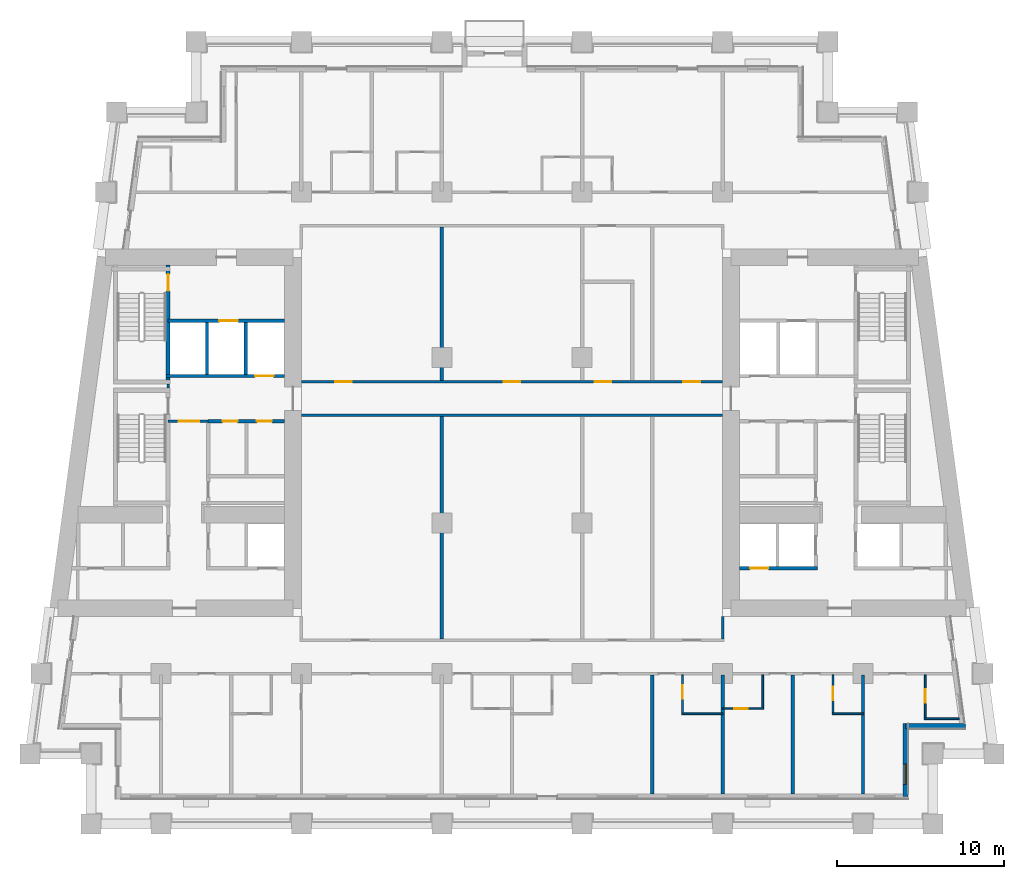
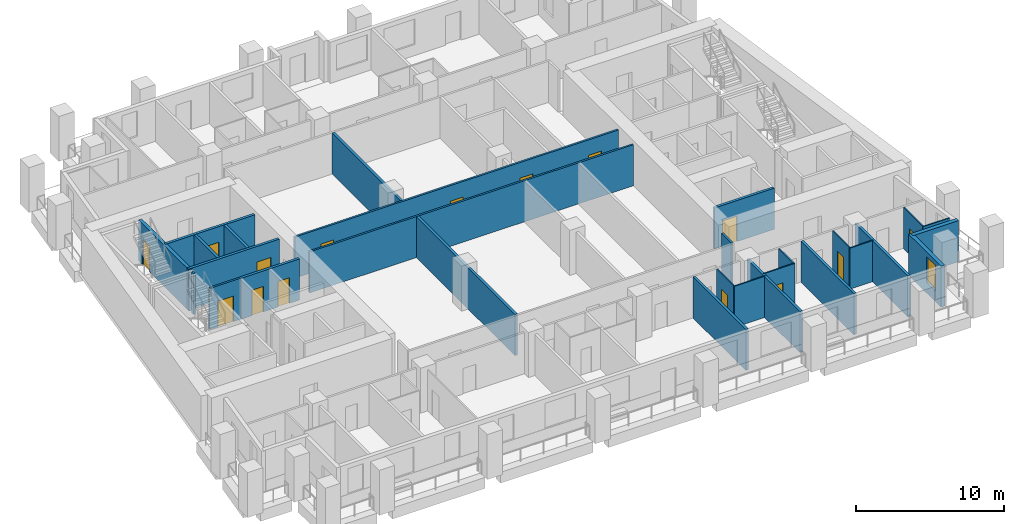
# One storey, part 4 of 13: 28 walls, 15 doors, 1 window, 16 openings.
"""IFC4 building model written with IfcOpenShell, lengths in metres."""

from ifc_helpers import new_model, si_unit, direction, frame, frame_2d, origin, place, context, subcontext, project, spatial, rectangle, extrude, material, layer, layer_set, type_object, element, fill, save


model = new_model("IFC4")

# Units and contexts
model_context = context("Model", 3, precision=1e-05, world=origin(), true_north=direction((0.0, 1.0)))
body_context = subcontext(model_context, "Body", "Model", "MODEL_VIEW")
ifc_project = project(units=[si_unit("LENGTHUNIT", "METRE"), si_unit("AREAUNIT", "SQUARE_METRE"), si_unit("VOLUMEUNIT", "CUBIC_METRE"), si_unit("PLANEANGLEUNIT", "RADIAN"), si_unit("MASSUNIT", "GRAM", prefix="KILO")], contexts=[model_context])

# Site, building, storey
site_placement = place(None, origin())
site = spatial("IfcSite", under=ifc_project, at=site_placement, CompositionType="ELEMENT")
building_placement = place(site_placement, origin())
building = spatial("IfcBuilding", under=site, at=building_placement, Name="Candeia Pilgrim Tower and Theatre", CompositionType="ELEMENT")
storey_placement = place(building_placement, frame((0.0, 0.0, 128.0)))
storey = spatial("IfcBuildingStorey", under=building, at=storey_placement, Name="L30", CompositionType="ELEMENT", Elevation=128.0)

# Wall, opening, window
ifc_material_1 = material(Name="Ceramic block masonry", Category="masonry")
ifc_layer_1 = layer(ifc_material_1, 0.300048828125)
ifc_layer_set_1 = layer_set([ifc_layer_1], Name="EW1 glazing-line wall 300")
wall_type_1 = type_object("IfcWallType", Name="EW1 glazing-line wall 300", PredefinedType="SOLIDWALL", material=ifc_layer_set_1)
wall_1_placement = place(storey_placement, frame((136.949951171875, 99.64990234375, 0.0), z_axis=(0.0, 0.0, 1.0), x_axis=(0.0, 1.0, 0.0)))
wall_1 = element("IfcWall", 1, at=wall_1_placement, inside=storey, type_object=wall_type_1, Name="External wall L30-1.0", PredefinedType="SOLIDWALL", context=body_context, shape_type="SweptSolid", body=[
    extrude(rectangle(XDim=4.35009765625, YDim=0.300048828125, at=frame_2d((2.175048828125, 0.0))), origin(), (0.0, 0.0, 1.0), 3.3798828125),
])
opening_1_placement = place(wall_1_placement, frame((0.72509765625, 0.0, 0.89990234375)))
opening_1 = element("IfcOpeningElement", 2, at=opening_1_placement, cuts=wall_1, Name="Opening W-B", PredefinedType="OPENING", context=body_context, shape_type="SweptSolid", body=[
    extrude(rectangle(XDim=1.199951171875, YDim=2.10009765625, at=frame_2d((0.60009765625, 1.050048828125))), frame((0.0, 0.16015625, 0.0), z_axis=(0.0, -1.0, 0.0), x_axis=(1.0, 0.0, 0.0)), (0.0, 0.0, 1.0), 0.320068359375),
])
ifc_material_2 = material(Name="Aluminium framed double glazing", Category="aluminium")
window_type = type_object("IfcWindowType", Name="W-B window 1200x2100", PartitioningType="SINGLE_PANEL", PredefinedType="WINDOW", material=ifc_material_2)
window_placement = place(opening_1_placement, origin())
window = element("IfcWindow", 3, at=window_placement, inside=storey, type_object=window_type, Name="Window W-B L30", OverallHeight=2.10009765625, OverallWidth=1.199951171875, PartitioningType="SINGLE_PANEL", PredefinedType="WINDOW", context=body_context, shape_type="SweptSolid", body=[
    extrude(rectangle(XDim=1.199951171875, YDim=2.10009765625, at=frame_2d((0.60009765625, 1.050048828125))), frame((0.0, 0.030029296875, 0.0), z_axis=(0.0, -1.0, 0.0), x_axis=(1.0, 0.0, 0.0)), (0.0, 0.0, 1.0), 0.06005859375),
])
fill(opening_1, window)

# Walls
wall_2_placement = place(storey_placement, frame((136.949951171875, 103.85009765625, 0.0), z_axis=(0.0, 0.0, 1.0), x_axis=(1.0, 0.0, 0.0)))
element("IfcWall", 4, at=wall_2_placement, inside=storey, type_object=wall_type_1, Name="External wall L30-2.0", PredefinedType="SOLIDWALL", context=body_context, shape_type="SweptSolid", body=[
    extrude(rectangle(XDim=3.569091796875, YDim=0.300048828125, at=frame_2d((1.78466796875, 0.0))), origin(), (0.0, 0.0, 1.0), 3.3798828125),
])
ifc_material_3 = material(Name="Gypsum board partition on steel studs", Category="steel")
ifc_layer_2 = layer(ifc_material_3, 0.10009765625)
ifc_layer_set_2 = layer_set([ifc_layer_2], Name="PW-100 room partition")
wall_type_2 = type_object("IfcWallType", Name="PW-100 room partition", PredefinedType="PARTITIONING", material=ifc_layer_set_2)
wall_3_placement = place(storey_placement, frame((138.070068359375, 104.300048828125, 0.0), z_axis=(0.0, 0.0, 1.0), x_axis=(1.0, 0.0, 0.0)))
element("IfcWall", 5, at=wall_3_placement, inside=storey, type_object=wall_type_2, Name="Room partition L30-002", PredefinedType="PARTITIONING", context=body_context, shape_type="SweptSolid", body=[
    extrude(rectangle(XDim=2.07568359375, YDim=0.10009765625, at=frame_2d((1.037841796875, 0.0))), origin(), (0.0, 0.0, 1.0), 3.3798828125),
])
wall_4_placement = place(storey_placement, frame((123.550048828125, 104.60009765625, 0.0), z_axis=(0.0, 0.0, 1.0), x_axis=(1.0, 0.0, 0.0)))
element("IfcWall", 6, at=wall_4_placement, inside=storey, type_object=wall_type_2, Name="Room partition L30-005", PredefinedType="PARTITIONING", context=body_context, shape_type="SweptSolid", body=[
    extrude(rectangle(XDim=2.449951171875, YDim=0.10009765625, at=frame_2d((1.22509765625, 0.0))), origin(), (0.0, 0.0, 1.0), 3.3798828125),
])
wall_5_placement = place(storey_placement, frame((132.550048828125, 104.60009765625, 0.0), z_axis=(0.0, 0.0, 1.0), x_axis=(1.0, 0.0, 0.0)))
element("IfcWall", 7, at=wall_5_placement, inside=storey, type_object=wall_type_2, Name="Room partition L30-006", PredefinedType="PARTITIONING", context=body_context, shape_type="SweptSolid", body=[
    extrude(rectangle(XDim=1.849853515625, YDim=0.10009765625, at=frame_2d((0.9248046875, 0.0))), origin(), (0.0, 0.0, 1.0), 3.3798828125),
])

# Wall, opening, door
wall_6_placement = place(storey_placement, frame((126.0, 104.89990234375, 0.0), z_axis=(0.0, 0.0, 1.0), x_axis=(1.0, 0.0, 0.0)))
wall_6 = element("IfcWall", 8, at=wall_6_placement, inside=storey, type_object=wall_type_2, Name="Room partition L30-008", PredefinedType="PARTITIONING", context=body_context, shape_type="SweptSolid", body=[
    extrude(rectangle(XDim=2.449951171875, YDim=0.10009765625, at=frame_2d((1.22509765625, 0.0))), origin(), (0.0, 0.0, 1.0), 3.3798828125),
])
opening_2_placement = place(wall_6_placement, frame((0.7099609375, 0.0, 0.0)))
opening_2 = element("IfcOpeningElement", 9, at=opening_2_placement, cuts=wall_6, Name="Opening L30-D030", PredefinedType="OPENING", context=body_context, shape_type="SweptSolid", body=[
    extrude(rectangle(XDim=0.800048828125, YDim=2.10009765625, at=frame_2d((0.39990234375, 1.050048828125))), frame((0.0, 0.06005859375, 0.0), z_axis=(0.0, -1.0, 0.0), x_axis=(1.0, 0.0, 0.0)), (0.0, 0.0, 1.0), 0.1201171875),
])
ifc_material_4 = material(Name="Timber door leaf", Category="wood")
door_type_1 = type_object("IfcDoorType", Name="D-800", OperationType="NOTDEFINED", PredefinedType="DOOR", material=ifc_material_4)
door_1_placement = place(opening_2_placement, origin())
door_1 = element("IfcDoor", 10, at=door_1_placement, inside=storey, type_object=door_type_1, Name="Door L30-D030", OperationType="SINGLE_SWING_RIGHT", OverallHeight=2.10009765625, OverallWidth=0.800048828125, PredefinedType="DOOR", context=body_context, shape_type="SweptSolid", body=[
    extrude(rectangle(XDim=0.800048828125, YDim=2.10009765625, at=frame_2d((0.39990234375, 1.050048828125))), frame((0.0, 0.02490234375, 0.0), z_axis=(0.0, -1.0, 0.0), x_axis=(1.0, 0.0, 0.0)), (0.0, 0.0, 1.0), 0.050048828125),
])
fill(opening_2, door_1)

wall_7_placement = place(storey_placement, frame((123.60009765625, 104.64990234375, 0.0), z_axis=(0.0, 0.0, 1.0), x_axis=(0.0, 1.0, 0.0)))
wall_7 = element("IfcWall", 11, at=wall_7_placement, inside=storey, type_object=wall_type_2, Name="Room partition L30-094", PredefinedType="PARTITIONING", context=body_context, shape_type="SweptSolid", body=[
    extrude(rectangle(XDim=2.275146484375, YDim=0.10009765625, at=frame_2d((1.1376953125, 0.0))), origin(), (0.0, 0.0, 1.0), 3.3798828125),
])
opening_3_placement = place(wall_7_placement, frame((0.840087890625, 0.0, 0.0)))
opening_3 = element("IfcOpeningElement", 12, at=opening_3_placement, cuts=wall_7, Name="Opening L30-D028", PredefinedType="OPENING", context=body_context, shape_type="SweptSolid", body=[
    extrude(rectangle(XDim=0.800048828125, YDim=2.10009765625, at=frame_2d((0.39990234375, 1.050048828125))), frame((0.0, 0.06005859375, 0.0), z_axis=(0.0, -1.0, 0.0), x_axis=(1.0, 0.0, 0.0)), (0.0, 0.0, 1.0), 0.1201171875),
])
door_2_placement = place(opening_3_placement, origin())
door_2 = element("IfcDoor", 13, at=door_2_placement, inside=storey, type_object=door_type_1, Name="Door L30-D028", OperationType="SINGLE_SWING_RIGHT", OverallHeight=2.10009765625, OverallWidth=0.800048828125, PredefinedType="DOOR", context=body_context, shape_type="SweptSolid", body=[
    extrude(rectangle(XDim=0.800048828125, YDim=2.10009765625, at=frame_2d((0.39990234375, 1.050048828125))), frame((0.0, 0.02490234375, 0.0), z_axis=(0.0, -1.0, 0.0), x_axis=(1.0, 0.0, 0.0)), (0.0, 0.0, 1.0), 0.050048828125),
])
fill(opening_3, door_2)

# Wall
wall_8_placement = place(storey_placement, frame((128.39990234375, 104.949951171875, 0.0), z_axis=(0.0, 0.0, 1.0), x_axis=(0.0, 1.0, 0.0)))
element("IfcWall", 14, at=wall_8_placement, inside=storey, type_object=wall_type_2, Name="Room partition L30-099", PredefinedType="PARTITIONING", context=body_context, shape_type="SweptSolid", body=[
    extrude(rectangle(XDim=1.97509765625, YDim=0.10009765625, at=frame_2d((0.987548828125, 0.0))), origin(), (0.0, 0.0, 1.0), 3.3798828125),
])

# Wall, opening, door
wall_9_placement = place(storey_placement, frame((132.60009765625, 104.64990234375, 0.0), z_axis=(0.0, 0.0, 1.0), x_axis=(0.0, 1.0, 0.0)))
wall_9 = element("IfcWall", 15, at=wall_9_placement, inside=storey, type_object=wall_type_2, Name="Room partition L30-108", PredefinedType="PARTITIONING", context=body_context, shape_type="SweptSolid", body=[
    extrude(rectangle(XDim=2.275146484375, YDim=0.10009765625, at=frame_2d((1.1376953125, 0.0))), origin(), (0.0, 0.0, 1.0), 3.3798828125),
])
opening_4_placement = place(wall_9_placement, frame((0.75, 0.0, 0.0)))
opening_4 = element("IfcOpeningElement", 16, at=opening_4_placement, cuts=wall_9, Name="Opening L30-D032", PredefinedType="OPENING", context=body_context, shape_type="SweptSolid", body=[
    extrude(rectangle(XDim=0.800048828125, YDim=2.10009765625, at=frame_2d((0.39990234375, 1.050048828125))), frame((0.0, 0.06005859375, 0.0), z_axis=(0.0, -1.0, 0.0), x_axis=(1.0, 0.0, 0.0)), (0.0, 0.0, 1.0), 0.1201171875),
])
door_3_placement = place(opening_4_placement, origin())
door_3 = element("IfcDoor", 17, at=door_3_placement, inside=storey, type_object=door_type_1, Name="Door L30-D032", OperationType="SINGLE_SWING_RIGHT", OverallHeight=2.10009765625, OverallWidth=0.800048828125, PredefinedType="DOOR", context=body_context, shape_type="SweptSolid", body=[
    extrude(rectangle(XDim=0.800048828125, YDim=2.10009765625, at=frame_2d((0.39990234375, 1.050048828125))), frame((0.0, 0.02490234375, 0.0), z_axis=(0.0, -1.0, 0.0), x_axis=(1.0, 0.0, 0.0)), (0.0, 0.0, 1.0), 0.050048828125),
])
fill(opening_4, door_3)

wall_10_placement = place(storey_placement, frame((138.1201171875, 104.35009765625, 0.0), z_axis=(0.0, 0.0, 1.0), x_axis=(0.0, 1.0, 0.0)))
wall_10 = element("IfcWall", 18, at=wall_10_placement, inside=storey, type_object=wall_type_2, Name="Room partition L30-118", PredefinedType="PARTITIONING", context=body_context, shape_type="SweptSolid", body=[
    extrude(rectangle(XDim=2.574951171875, YDim=0.10009765625, at=frame_2d((1.28759765625, 0.0))), origin(), (0.0, 0.0, 1.0), 3.3798828125),
])
opening_5_placement = place(wall_10_placement, frame((0.89990234375, 0.0, 0.0)))
opening_5 = element("IfcOpeningElement", 19, at=opening_5_placement, cuts=wall_10, Name="Opening L30-D034", PredefinedType="OPENING", context=body_context, shape_type="SweptSolid", body=[
    extrude(rectangle(XDim=0.800048828125, YDim=2.10009765625, at=frame_2d((0.39990234375, 1.050048828125))), frame((0.0, 0.06005859375, 0.0), z_axis=(0.0, -1.0, 0.0), x_axis=(1.0, 0.0, 0.0)), (0.0, 0.0, 1.0), 0.1201171875),
])
door_4_placement = place(opening_5_placement, origin())
door_4 = element("IfcDoor", 20, at=door_4_placement, inside=storey, type_object=door_type_1, Name="Door L30-D034", OperationType="SINGLE_SWING_RIGHT", OverallHeight=2.10009765625, OverallWidth=0.800048828125, PredefinedType="DOOR", context=body_context, shape_type="SweptSolid", body=[
    extrude(rectangle(XDim=0.800048828125, YDim=2.10009765625, at=frame_2d((0.39990234375, 1.050048828125))), frame((0.0, 0.02490234375, 0.0), z_axis=(0.0, -1.0, 0.0), x_axis=(1.0, 0.0, 0.0)), (0.0, 0.0, 1.0), 0.050048828125),
])
fill(opening_5, door_4)

ifc_layer_3 = layer(ifc_material_3, 0.14990234375)
ifc_layer_set_3 = layer_set([ifc_layer_3], Name="PW-150 lobby wall")
wall_type_3 = type_object("IfcWallType", Name="PW-150 lobby wall", PredefinedType="PARTITIONING", material=ifc_layer_set_3)
wall_11_placement = place(storey_placement, frame((92.826904296875, 122.10009765625, 0.0), z_axis=(0.0, 0.0, 1.0), x_axis=(1.0, 0.0, 0.0)))
wall_11 = element("IfcWall", 21, at=wall_11_placement, inside=storey, type_object=wall_type_3, Name="Lobby wall L30-025", PredefinedType="PARTITIONING", context=body_context, shape_type="SweptSolid", body=[
    extrude(rectangle(XDim=2.400146484375, YDim=0.14990234375, at=frame_2d((1.2001953125, 0.0))), origin(), (0.0, 0.0, 1.0), 3.3798828125),
])
opening_6_placement = place(wall_11_placement, frame((0.64990234375, 0.0, 0.0)))
opening_6 = element("IfcOpeningElement", 22, at=opening_6_placement, cuts=wall_11, Name="Opening L30-D001", PredefinedType="OPENING", context=body_context, shape_type="SweptSolid", body=[
    extrude(rectangle(XDim=1.199951171875, YDim=2.10009765625, at=frame_2d((0.60009765625, 1.050048828125))), frame((0.0, 0.0849609375, 0.0), z_axis=(0.0, -1.0, 0.0), x_axis=(1.0, 0.0, 0.0)), (0.0, 0.0, 1.0), 0.169921875),
])
ifc_material_5 = material(Name="Steel fire door set", Category="steel")
door_type_2 = type_object("IfcDoorType", Name="D-1200-FD60", OperationType="NOTDEFINED", PredefinedType="DOOR", material=ifc_material_5)
door_5_placement = place(opening_6_placement, origin())
door_5 = element("IfcDoor", 23, at=door_5_placement, inside=storey, type_object=door_type_2, Name="Door L30-D001", OperationType="SINGLE_SWING_LEFT", OverallHeight=2.10009765625, OverallWidth=1.199951171875, PredefinedType="DOOR", context=body_context, shape_type="SweptSolid", body=[
    extrude(rectangle(XDim=1.199951171875, YDim=2.10009765625, at=frame_2d((0.60009765625, 1.050048828125))), frame((0.0, 0.02490234375, 0.0), z_axis=(0.0, -1.0, 0.0), x_axis=(1.0, 0.0, 0.0)), (0.0, 0.0, 1.0), 0.050048828125),
])
fill(opening_6, door_5)

# Walls
wall_12_placement = place(storey_placement, frame((92.826904296875, 124.074951171875, 0.0), z_axis=(0.0, 0.0, 1.0), x_axis=(0.0, 1.0, 0.0)))
element("IfcWall", 24, at=wall_12_placement, inside=storey, type_object=wall_type_3, Name="Lobby wall L30-057", PredefinedType="PARTITIONING", context=body_context, shape_type="SweptSolid", body=[
    extrude(rectangle(XDim=0.25, YDim=0.14990234375, at=frame_2d((0.125, 0.0))), origin(), (0.0, 0.0, 1.0), 3.3798828125),
])
ifc_layer_4 = layer(ifc_material_3, 0.14990234375)
ifc_layer_set_4 = layer_set([ifc_layer_4], Name="PW-150 unit wall")
wall_type_4 = type_object("IfcWallType", Name="PW-150 unit wall", PredefinedType="PARTITIONING", material=ifc_layer_set_4)
wall_13_placement = place(storey_placement, frame((100.800048828125, 122.449951171875, 0.0), z_axis=(0.0, 0.0, 1.0), x_axis=(1.0, 0.0, 0.0)))
element("IfcWall", 25, at=wall_13_placement, inside=storey, type_object=wall_type_4, Name="Unit wall L30-027", PredefinedType="PARTITIONING", context=body_context, shape_type="SweptSolid", body=[
    extrude(rectangle(XDim=25.199951171875, YDim=0.14990234375, at=frame_2d((12.60009765625, 0.0))), origin(), (0.0, 0.0, 1.0), 3.3798828125),
])

# Wall, openings, doors
wall_14_placement = place(storey_placement, frame((100.800048828125, 124.449951171875, 0.0), z_axis=(0.0, 0.0, 1.0), x_axis=(1.0, 0.0, 0.0)))
wall_14 = element("IfcWall", 26, at=wall_14_placement, inside=storey, type_object=wall_type_4, Name="Unit wall L30-032", PredefinedType="PARTITIONING", context=body_context, shape_type="SweptSolid", body=[
    extrude(rectangle(XDim=25.199951171875, YDim=0.14990234375, at=frame_2d((12.60009765625, 0.0))), origin(), (0.0, 0.0, 1.0), 3.3798828125),
])
opening_7_placement = place(wall_14_placement, frame((2.02490234375, 0.0, 0.0)))
opening_7 = element("IfcOpeningElement", 27, at=opening_7_placement, cuts=wall_14, Name="Opening L30-D052", PredefinedType="OPENING", context=body_context, shape_type="SweptSolid", body=[
    extrude(rectangle(XDim=1.0, YDim=2.10009765625, at=frame_2d((0.5, 1.050048828125))), frame((0.0, 0.0849609375, 0.0), z_axis=(0.0, -1.0, 0.0), x_axis=(1.0, 0.0, 0.0)), (0.0, 0.0, 1.0), 0.169921875),
])
opening_8_placement = place(wall_14_placement, frame((12.10009765625, 0.0, 0.0)))
opening_8 = element("IfcOpeningElement", 28, at=opening_8_placement, cuts=wall_14, Name="Opening L30-D053", PredefinedType="OPENING", context=body_context, shape_type="SweptSolid", body=[
    extrude(rectangle(XDim=1.0, YDim=2.10009765625, at=frame_2d((0.5, 1.050048828125))), frame((0.0, 0.0849609375, 0.0), z_axis=(0.0, -1.0, 0.0), x_axis=(1.0, 0.0, 0.0)), (0.0, 0.0, 1.0), 0.169921875),
])
opening_9_placement = place(wall_14_placement, frame((17.5400390625, 0.0, 0.0)))
opening_9 = element("IfcOpeningElement", 29, at=opening_9_placement, cuts=wall_14, Name="Opening L30-D054", PredefinedType="OPENING", context=body_context, shape_type="SweptSolid", body=[
    extrude(rectangle(XDim=1.0, YDim=2.10009765625, at=frame_2d((0.5, 1.050048828125))), frame((0.0, 0.0849609375, 0.0), z_axis=(0.0, -1.0, 0.0), x_axis=(1.0, 0.0, 0.0)), (0.0, 0.0, 1.0), 0.169921875),
])
opening_10_placement = place(wall_14_placement, frame((22.85009765625, 0.0, 0.0)))
opening_10 = element("IfcOpeningElement", 30, at=opening_10_placement, cuts=wall_14, Name="Opening L30-D055", PredefinedType="OPENING", context=body_context, shape_type="SweptSolid", body=[
    extrude(rectangle(XDim=1.0, YDim=2.10009765625, at=frame_2d((0.5, 1.050048828125))), frame((0.0, 0.0849609375, 0.0), z_axis=(0.0, -1.0, 0.0), x_axis=(1.0, 0.0, 0.0)), (0.0, 0.0, 1.0), 0.169921875),
])
door_type_3 = type_object("IfcDoorType", Name="D-1000-FD30S", OperationType="NOTDEFINED", PredefinedType="DOOR", material=ifc_material_5)
door_6_placement = place(opening_7_placement, origin())
door_6 = element("IfcDoor", 31, at=door_6_placement, inside=storey, type_object=door_type_3, Name="Door L30-D052", OperationType="SINGLE_SWING_RIGHT", OverallHeight=2.10009765625, OverallWidth=1.0, PredefinedType="DOOR", context=body_context, shape_type="SweptSolid", body=[
    extrude(rectangle(XDim=1.0, YDim=2.10009765625, at=frame_2d((0.5, 1.050048828125))), frame((0.0, 0.02490234375, 0.0), z_axis=(0.0, -1.0, 0.0), x_axis=(1.0, 0.0, 0.0)), (0.0, 0.0, 1.0), 0.050048828125),
])
fill(opening_7, door_6)
door_7_placement = place(opening_8_placement, origin())
door_7 = element("IfcDoor", 32, at=door_7_placement, inside=storey, type_object=door_type_3, Name="Door L30-D053", OperationType="SINGLE_SWING_LEFT", OverallHeight=2.10009765625, OverallWidth=1.0, PredefinedType="DOOR", context=body_context, shape_type="SweptSolid", body=[
    extrude(rectangle(XDim=1.0, YDim=2.10009765625, at=frame_2d((0.5, 1.050048828125))), frame((0.0, 0.02490234375, 0.0), z_axis=(0.0, -1.0, 0.0), x_axis=(1.0, 0.0, 0.0)), (0.0, 0.0, 1.0), 0.050048828125),
])
fill(opening_8, door_7)
door_8_placement = place(opening_9_placement, origin())
door_8 = element("IfcDoor", 33, at=door_8_placement, inside=storey, type_object=door_type_3, Name="Door L30-D054", OperationType="SINGLE_SWING_RIGHT", OverallHeight=2.10009765625, OverallWidth=1.0, PredefinedType="DOOR", context=body_context, shape_type="SweptSolid", body=[
    extrude(rectangle(XDim=1.0, YDim=2.10009765625, at=frame_2d((0.5, 1.050048828125))), frame((0.0, 0.02490234375, 0.0), z_axis=(0.0, -1.0, 0.0), x_axis=(1.0, 0.0, 0.0)), (0.0, 0.0, 1.0), 0.050048828125),
])
fill(opening_9, door_8)
door_9_placement = place(opening_10_placement, origin())
door_9 = element("IfcDoor", 34, at=door_9_placement, inside=storey, type_object=door_type_3, Name="Door L30-D055", OperationType="SINGLE_SWING_LEFT", OverallHeight=2.10009765625, OverallWidth=1.0, PredefinedType="DOOR", context=body_context, shape_type="SweptSolid", body=[
    extrude(rectangle(XDim=1.0, YDim=2.10009765625, at=frame_2d((0.5, 1.050048828125))), frame((0.0, 0.02490234375, 0.0), z_axis=(0.0, -1.0, 0.0), x_axis=(1.0, 0.0, 0.0)), (0.0, 0.0, 1.0), 0.050048828125),
])
fill(opening_10, door_9)

# Walls
wall_15_placement = place(storey_placement, frame((126.0, 109.074951171875, 0.0), z_axis=(0.0, 0.0, 1.0), x_axis=(0.0, 1.0, 0.0)))
element("IfcWall", 35, at=wall_15_placement, inside=storey, type_object=wall_type_4, Name="Unit wall L30-097", PredefinedType="PARTITIONING", context=body_context, shape_type="SweptSolid", body=[
    extrude(rectangle(XDim=1.324951171875, YDim=0.14990234375, at=frame_2d((0.66259765625, 0.0))), origin(), (0.0, 0.0, 1.0), 3.3798828125),
])
ifc_layer_5 = layer(ifc_material_3, 0.199951171875)
ifc_layer_set_5 = layer_set([ifc_layer_5], Name="PW-200 party wall")
wall_type_5 = type_object("IfcWallType", Name="PW-200 party wall", PredefinedType="PARTITIONING", material=ifc_layer_set_5)
wall_16_placement = place(storey_placement, frame((109.199951171875, 109.074951171875, 0.0), z_axis=(0.0, 0.0, 1.0), x_axis=(0.0, 1.0, 0.0)))
element("IfcWall", 36, at=wall_16_placement, inside=storey, type_object=wall_type_5, Name="Party wall L30-079", PredefinedType="PARTITIONING", context=body_context, shape_type="SweptSolid", body=[
    extrude(rectangle(XDim=13.300048828125, YDim=0.199951171875, at=frame_2d((6.64990234375, 0.0))), origin(), (0.0, 0.0, 1.0), 3.3798828125),
])
wall_17_placement = place(storey_placement, frame((109.199951171875, 124.52490234375, 0.0), z_axis=(0.0, 0.0, 1.0), x_axis=(0.0, 1.0, 0.0)))
element("IfcWall", 37, at=wall_17_placement, inside=storey, type_object=wall_type_5, Name="Party wall L30-080", PredefinedType="PARTITIONING", context=body_context, shape_type="SweptSolid", body=[
    extrude(rectangle(XDim=9.2001953125, YDim=0.199951171875, at=frame_2d((4.60009765625, 0.0))), origin(), (0.0, 0.0, 1.0), 3.3798828125),
])
for number, where, z_axis, x_axis, name in (
    (38, (121.800048828125, 99.7900390625, 0.0), (0.0, 0.0, 1.0), (0.0, 1.0, 0.0), "Party wall L30-091"),
    (39, (126.0, 99.7900390625, 0.0), (0.0, 0.0, 1.0), (0.0, 1.0, 0.0), "Party wall L30-095"),
    (40, (130.199951171875, 99.7900390625, 0.0), (0.0, 0.0, 1.0), (0.0, 1.0, 0.0), "Party wall L30-103"),
    (41, (134.39990234375, 99.7900390625, 0.0), (0.0, 0.0, 1.0), (0.0, 1.0, 0.0), "Party wall L30-114"),
):
    element("IfcWall", number, at=place(storey_placement, frame(where, z_axis=z_axis, x_axis=x_axis)), inside=storey, type_object=wall_type_5, Name=name, PredefinedType="PARTITIONING", context=body_context, shape_type="SweptSolid", body=[
        extrude(rectangle(XDim=7.135009765625, YDim=0.199951171875, at=frame_2d((3.5673828125, 0.0))), origin(), (0.0, 0.0, 1.0), 3.3798828125),
    ])

# Wall, opening, door
ifc_material_6 = material(Name="Concrete C40/50", Category="concrete")
ifc_layer_6 = layer(ifc_material_6, 0.199951171875)
ifc_layer_set_6 = layer_set([ifc_layer_6], Name="SW-200 shaft wall")
wall_type_6 = type_object("IfcWallType", Name="SW-200 shaft wall", PredefinedType="PARTITIONING", material=ifc_layer_set_6)
wall_18_placement = place(storey_placement, frame((127.0, 113.300048828125, 0.0), z_axis=(0.0, 0.0, 1.0), x_axis=(1.0, 0.0, 0.0)))
wall_18 = element("IfcWall", 42, at=wall_18_placement, inside=storey, type_object=wall_type_6, Name="Shaft wall L30-013", PredefinedType="PARTITIONING", context=body_context, shape_type="SweptSolid", body=[
    extrude(rectangle(XDim=4.673095703125, YDim=0.199951171875, at=frame_2d((2.33642578125, 0.0))), origin(), (0.0, 0.0, 1.0), 3.3798828125),
])
opening_11_placement = place(wall_18_placement, frame((0.64208984375, 0.0, 0.0)))
opening_11 = element("IfcOpeningElement", 43, at=opening_11_placement, cuts=wall_18, Name="Opening L30-LD08", PredefinedType="OPENING", context=body_context, shape_type="SweptSolid", body=[
    extrude(rectangle(XDim=1.10009765625, YDim=2.10009765625, at=frame_2d((0.550048828125, 1.050048828125))), frame((0.0, 0.10986328125, 0.0), z_axis=(0.0, -1.0, 0.0), x_axis=(1.0, 0.0, 0.0)), (0.0, 0.0, 1.0), 0.219970703125),
])
ifc_material_7 = material(Name="Glazed aluminium landing door", Category="aluminium")
door_type_4 = type_object("IfcDoorType", Name="LD-1100-EI120", OperationType="SLIDING_TO_LEFT", PredefinedType="DOOR", material=ifc_material_7)
door_10_placement = place(opening_11_placement, origin())
door_10 = element("IfcDoor", 44, at=door_10_placement, inside=storey, type_object=door_type_4, Name="Landing door 08 L30", OperationType="SLIDING_TO_LEFT", OverallHeight=2.10009765625, OverallWidth=1.10009765625, PredefinedType="DOOR", context=body_context, shape_type="SweptSolid", body=[
    extrude(rectangle(XDim=1.10009765625, YDim=2.10009765625, at=frame_2d((0.550048828125, 1.050048828125))), frame((0.0, 0.02490234375, 0.0), z_axis=(0.0, -1.0, 0.0), x_axis=(1.0, 0.0, 0.0)), (0.0, 0.0, 1.0), 0.050048828125),
])
fill(opening_11, door_10)

# Wall, openings, doors
wall_19_placement = place(storey_placement, frame((95.22705078125, 122.10009765625, 0.0), z_axis=(0.0, 0.0, 1.0), x_axis=(1.0, 0.0, 0.0)))
wall_19 = element("IfcWall", 45, at=wall_19_placement, inside=storey, type_object=wall_type_6, Name="Shaft wall L30-023", PredefinedType="PARTITIONING", context=body_context, shape_type="SweptSolid", body=[
    extrude(rectangle(XDim=4.572998046875, YDim=0.199951171875, at=frame_2d((2.28662109375, 0.0))), origin(), (0.0, 0.0, 1.0), 3.3798828125),
])
opening_12_placement = place(wall_19_placement, frame((0.864990234375, 0.0, 0.0)))
opening_12 = element("IfcOpeningElement", 46, at=opening_12_placement, cuts=wall_19, Name="Opening L30-D002", PredefinedType="OPENING", context=body_context, shape_type="SweptSolid", body=[
    extrude(rectangle(XDim=0.89990234375, YDim=2.10009765625, at=frame_2d((0.449951171875, 1.050048828125))), frame((0.0, 0.10986328125, 0.0), z_axis=(0.0, -1.0, 0.0), x_axis=(1.0, 0.0, 0.0)), (0.0, 0.0, 1.0), 0.219970703125),
])
opening_13_placement = place(wall_19_placement, frame((2.910888671875, 0.0, 0.0)))
opening_13 = element("IfcOpeningElement", 47, at=opening_13_placement, cuts=wall_19, Name="Opening L30-D003", PredefinedType="OPENING", context=body_context, shape_type="SweptSolid", body=[
    extrude(rectangle(XDim=0.89990234375, YDim=2.10009765625, at=frame_2d((0.449951171875, 1.050048828125))), frame((0.0, 0.10986328125, 0.0), z_axis=(0.0, -1.0, 0.0), x_axis=(1.0, 0.0, 0.0)), (0.0, 0.0, 1.0), 0.219970703125),
])
door_type_5 = type_object("IfcDoorType", Name="D-900-FD60", OperationType="NOTDEFINED", PredefinedType="DOOR", material=ifc_material_5)
door_11_placement = place(opening_12_placement, origin())
door_11 = element("IfcDoor", 48, at=door_11_placement, inside=storey, type_object=door_type_5, Name="Door L30-D002", OperationType="SINGLE_SWING_RIGHT", OverallHeight=2.10009765625, OverallWidth=0.89990234375, PredefinedType="DOOR", context=body_context, shape_type="SweptSolid", body=[
    extrude(rectangle(XDim=0.89990234375, YDim=2.10009765625, at=frame_2d((0.449951171875, 1.050048828125))), frame((0.0, 0.02490234375, 0.0), z_axis=(0.0, -1.0, 0.0), x_axis=(1.0, 0.0, 0.0)), (0.0, 0.0, 1.0), 0.050048828125),
])
fill(opening_12, door_11)
door_12_placement = place(opening_13_placement, origin())
door_12 = element("IfcDoor", 49, at=door_12_placement, inside=storey, type_object=door_type_5, Name="Door L30-D003", OperationType="SINGLE_SWING_LEFT", OverallHeight=2.10009765625, OverallWidth=0.89990234375, PredefinedType="DOOR", context=body_context, shape_type="SweptSolid", body=[
    extrude(rectangle(XDim=0.89990234375, YDim=2.10009765625, at=frame_2d((0.449951171875, 1.050048828125))), frame((0.0, 0.02490234375, 0.0), z_axis=(0.0, -1.0, 0.0), x_axis=(1.0, 0.0, 0.0)), (0.0, 0.0, 1.0), 0.050048828125),
])
fill(opening_13, door_12)

# Wall, opening, door
wall_20_placement = place(storey_placement, frame((92.701904296875, 124.800048828125, 0.0), z_axis=(0.0, 0.0, 1.0), x_axis=(1.0, 0.0, 0.0)))
wall_20 = element("IfcWall", 50, at=wall_20_placement, inside=storey, type_object=wall_type_6, Name="Shaft wall L30-033", PredefinedType="PARTITIONING", context=body_context, shape_type="SweptSolid", body=[
    extrude(rectangle(XDim=7.09814453125, YDim=0.199951171875, at=frame_2d((3.549072265625, 0.0))), origin(), (0.0, 0.0, 1.0), 3.3798828125),
])
opening_14_placement = place(wall_20_placement, frame((5.3330078125, 0.0, 0.0)))
opening_14 = element("IfcOpeningElement", 51, at=opening_14_placement, cuts=wall_20, Name="Opening L30-LD02", PredefinedType="OPENING", context=body_context, shape_type="SweptSolid", body=[
    extrude(rectangle(XDim=1.10009765625, YDim=2.10009765625, at=frame_2d((0.550048828125, 1.050048828125))), frame((0.0, 0.10986328125, 0.0), z_axis=(0.0, -1.0, 0.0), x_axis=(1.0, 0.0, 0.0)), (0.0, 0.0, 1.0), 0.219970703125),
])
door_13_placement = place(opening_14_placement, origin())
door_13 = element("IfcDoor", 52, at=door_13_placement, inside=storey, type_object=door_type_4, Name="Landing door 02 L30", OperationType="SLIDING_TO_LEFT", OverallHeight=2.10009765625, OverallWidth=1.10009765625, PredefinedType="DOOR", context=body_context, shape_type="SweptSolid", body=[
    extrude(rectangle(XDim=1.10009765625, YDim=2.10009765625, at=frame_2d((0.550048828125, 1.050048828125))), frame((0.0, 0.02490234375, 0.0), z_axis=(0.0, -1.0, 0.0), x_axis=(1.0, 0.0, 0.0)), (0.0, 0.0, 1.0), 0.050048828125),
])
fill(opening_14, door_13)

wall_21_placement = place(storey_placement, frame((92.826904296875, 128.10009765625, 0.0), z_axis=(0.0, 0.0, 1.0), x_axis=(1.0, 0.0, 0.0)))
wall_21 = element("IfcWall", 53, at=wall_21_placement, inside=storey, type_object=wall_type_6, Name="Shaft wall L30-036", PredefinedType="PARTITIONING", context=body_context, shape_type="SweptSolid", body=[
    extrude(rectangle(XDim=6.97314453125, YDim=0.199951171875, at=frame_2d((3.486572265625, 0.0))), origin(), (0.0, 0.0, 1.0), 3.3798828125),
])
opening_15_placement = place(wall_21_placement, frame((3.068115234375, 0.0, 0.0)))
opening_15 = element("IfcOpeningElement", 54, at=opening_15_placement, cuts=wall_21, Name="Opening L30-LD01", PredefinedType="OPENING", context=body_context, shape_type="SweptSolid", body=[
    extrude(rectangle(XDim=1.10009765625, YDim=2.10009765625, at=frame_2d((0.550048828125, 1.050048828125))), frame((0.0, 0.10986328125, 0.0), z_axis=(0.0, -1.0, 0.0), x_axis=(1.0, 0.0, 0.0)), (0.0, 0.0, 1.0), 0.219970703125),
])
door_14_placement = place(opening_15_placement, origin())
door_14 = element("IfcDoor", 55, at=door_14_placement, inside=storey, type_object=door_type_4, Name="Landing door 01 L30", OperationType="SLIDING_TO_LEFT", OverallHeight=2.10009765625, OverallWidth=1.10009765625, PredefinedType="DOOR", context=body_context, shape_type="SweptSolid", body=[
    extrude(rectangle(XDim=1.10009765625, YDim=2.10009765625, at=frame_2d((0.550048828125, 1.050048828125))), frame((0.0, 0.02490234375, 0.0), z_axis=(0.0, -1.0, 0.0), x_axis=(1.0, 0.0, 0.0)), (0.0, 0.0, 1.0), 0.050048828125),
])
fill(opening_15, door_14)

# Walls
for number, where, z_axis, x_axis, name in (
    (56, (95.1513671875, 124.89990234375, 0.0), (0.0, 0.0, 1.0), (0.0, 1.0, 0.0), "Shaft wall L30-062"),
    (57, (97.4755859375, 124.89990234375, 0.0), (0.0, 0.0, 1.0), (0.0, 1.0, 0.0), "Shaft wall L30-067"),
):
    element("IfcWall", number, at=place(storey_placement, frame(where, z_axis=z_axis, x_axis=x_axis)), inside=storey, type_object=wall_type_6, Name=name, PredefinedType="PARTITIONING", context=body_context, shape_type="SweptSolid", body=[
        extrude(rectangle(XDim=3.10009765625, YDim=0.199951171875, at=frame_2d((1.550048828125, 0.0))), origin(), (0.0, 0.0, 1.0), 3.3798828125),
    ])

# Wall, opening, door
ifc_layer_7 = layer(ifc_material_6, 0.25)
ifc_layer_set_7 = layer_set([ifc_layer_7], Name="SW-250 stair wall")
wall_type_7 = type_object("IfcWallType", Name="SW-250 stair wall", PredefinedType="PARTITIONING", material=ifc_layer_set_7)
wall_22_placement = place(storey_placement, frame((92.826904296875, 124.574951171875, 0.0), z_axis=(0.0, 0.0, 1.0), x_axis=(0.0, 1.0, 0.0)))
wall_22 = element("IfcWall", 58, at=wall_22_placement, inside=storey, type_object=wall_type_7, Name="Stair wall L30-059", PredefinedType="PARTITIONING", context=body_context, shape_type="SweptSolid", body=[
    extrude(rectangle(XDim=6.85498046875, YDim=0.25, at=frame_2d((3.427490234375, 0.0))), origin(), (0.0, 0.0, 1.0), 3.3798828125),
])
opening_16_placement = place(wall_22_placement, frame((5.324951171875, 0.0, 0.0)))
opening_16 = element("IfcOpeningElement", 59, at=opening_16_placement, cuts=wall_22, Name="Opening L30-D005", PredefinedType="OPENING", context=body_context, shape_type="SweptSolid", body=[
    extrude(rectangle(XDim=1.0, YDim=2.10009765625, at=frame_2d((0.5, 1.050048828125))), frame((0.0, 0.135009765625, 0.0), z_axis=(0.0, -1.0, 0.0), x_axis=(1.0, 0.0, 0.0)), (0.0, 0.0, 1.0), 0.27001953125),
])
door_type_6 = type_object("IfcDoorType", Name="D-1000-FD60", OperationType="NOTDEFINED", PredefinedType="DOOR", material=ifc_material_5)
door_15_placement = place(opening_16_placement, origin())
door_15 = element("IfcDoor", 60, at=door_15_placement, inside=storey, type_object=door_type_6, Name="Door L30-D005", OperationType="SINGLE_SWING_LEFT", OverallHeight=2.10009765625, OverallWidth=1.0, PredefinedType="DOOR", context=body_context, shape_type="SweptSolid", body=[
    extrude(rectangle(XDim=1.0, YDim=2.10009765625, at=frame_2d((0.5, 1.050048828125))), frame((0.0, 0.02490234375, 0.0), z_axis=(0.0, -1.0, 0.0), x_axis=(1.0, 0.0, 0.0)), (0.0, 0.0, 1.0), 0.050048828125),
])
fill(opening_16, door_15)

save(model, "model.ifc")
